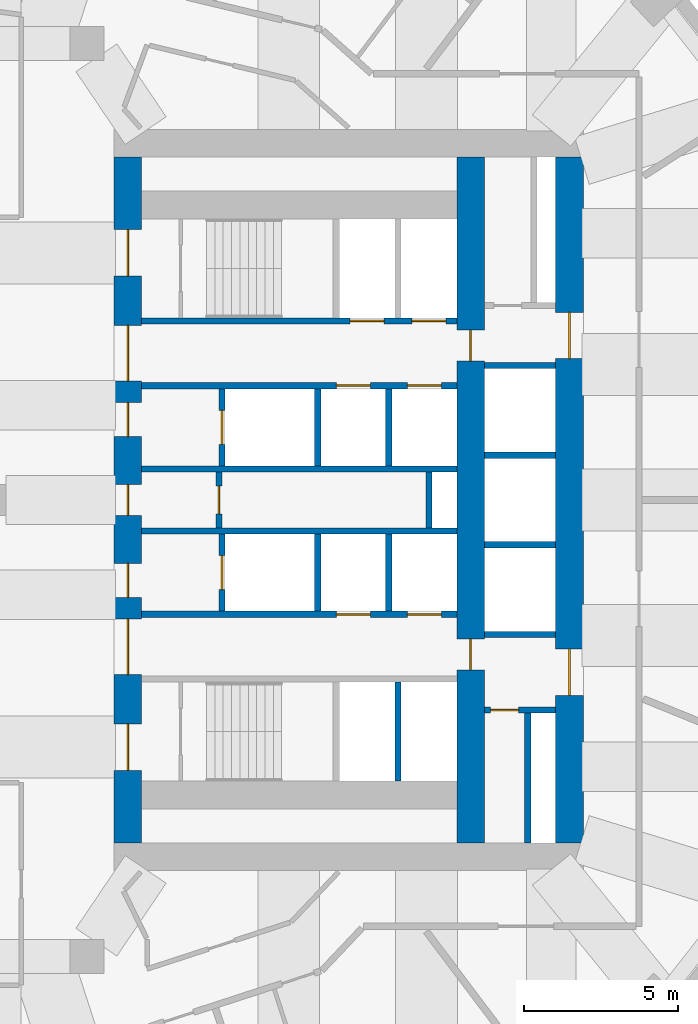
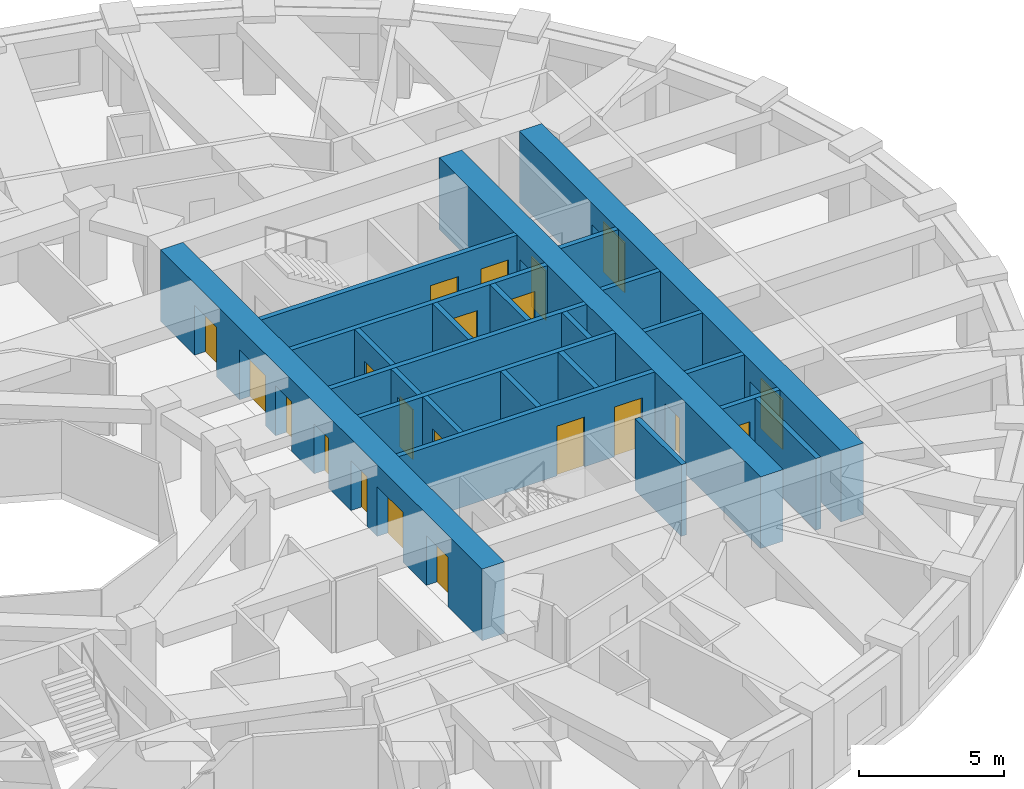
# One storey, part 6 of 13: 23 walls, 21 doors, 21 openings.
"""IFC4 building model written with IfcOpenShell, lengths in metres."""

from ifc_helpers import new_model, si_unit, direction, frame, frame_2d, origin, place, context, subcontext, project, spatial, rectangle, extrude, material, layer, layer_set, type_object, element, fill, save


model = new_model("IFC4")

# Units and contexts
model_context = context("Model", 3, precision=1e-05, world=origin(), true_north=direction((0.0, 1.0)))
body_context = subcontext(model_context, "Body", "Model", "MODEL_VIEW")
ifc_project = project(units=[si_unit("LENGTHUNIT", "METRE"), si_unit("AREAUNIT", "SQUARE_METRE"), si_unit("VOLUMEUNIT", "CUBIC_METRE"), si_unit("PLANEANGLEUNIT", "RADIAN"), si_unit("MASSUNIT", "GRAM", prefix="KILO")], contexts=[model_context])

# Site, building, storey
site_placement = place(None, origin())
site = spatial("IfcSite", under=ifc_project, at=site_placement, CompositionType="ELEMENT")
building_placement = place(site_placement, origin())
building = spatial("IfcBuilding", under=site, at=building_placement, Name="Taillehof Tower", CompositionType="ELEMENT")
storey_placement = place(building_placement, frame((0.0, 0.0, 44.800048828125)))
storey = spatial("IfcBuildingStorey", under=building, at=storey_placement, Name="L11", CompositionType="ELEMENT", Elevation=44.800048828125)

# Wall, opening, door
ifc_material_1 = material(Name="Calcium silicate masonry", Category="masonry")
ifc_layer_1 = layer(ifc_material_1, 0.199951171875)
ifc_layer_set_1 = layer_set([ifc_layer_1], Name="Compartment wall calcium silicate 200")
wall_type_1 = type_object("IfcWallType", Name="Compartment wall calcium silicate 200", PredefinedType="PARTITIONING", material=ifc_layer_set_1)
wall_1_placement = place(storey_placement, frame((7.39990234375, -0.89990234375, 0.0), z_axis=(0.0, 0.0, 1.0), x_axis=(0.0, 1.0, 0.0)))
wall_1 = element("IfcWall", 1, at=wall_1_placement, inside=storey, type_object=wall_type_1, Name="Compartment wall FW", PredefinedType="PARTITIONING", context=body_context, shape_type="SweptSolid", body=[
    extrude(rectangle(XDim=1.7998046875, YDim=0.199951171875, at=frame_2d((0.89990234375, 0.0))), origin(), (0.0, 0.0, 1.0), 3.02001953125),
])
opening_1_placement = place(wall_1_placement, frame((0.449951171875, 0.0, 0.0)))
opening_1 = element("IfcOpeningElement", 2, at=opening_1_placement, cuts=wall_1, Name="Opening D1114", PredefinedType="OPENING", context=body_context, shape_type="SweptSolid", body=[
    extrude(rectangle(XDim=0.89990234375, YDim=2.10009765625, at=frame_2d((0.449951171875, 1.050048828125))), frame((0.0, 0.10986328125, 0.0), z_axis=(0.0, -1.0, 0.0), x_axis=(1.0, 0.0, 0.0)), (0.0, 0.0, 1.0), 0.219970703125),
])
ifc_material_2 = material(Name="Steel-faced fire door", Category="steel")
door_type_1 = type_object("IfcDoorType", Name="Riser and service room door 900x2100", OperationType="SINGLE_SWING_LEFT", PredefinedType="DOOR", material=ifc_material_2)
door_1_placement = place(opening_1_placement, origin())
door_1 = element("IfcDoor", 3, at=door_1_placement, inside=storey, type_object=door_type_1, Name="Door Housekeeping Store", OperationType="SINGLE_SWING_RIGHT", OverallHeight=2.10009765625, OverallWidth=0.89990234375, PredefinedType="DOOR", context=body_context, shape_type="SweptSolid", body=[
    extrude(rectangle(XDim=0.89990234375, YDim=2.10009765625, at=frame_2d((0.449951171875, 1.050048828125))), frame((0.0, 0.02490234375, 0.0), z_axis=(0.0, -1.0, 0.0), x_axis=(1.0, 0.0, 0.0)), (0.0, 0.0, 1.0), 0.050048828125),
])
fill(opening_1, door_1)

# Wall
wall_2_placement = place(storey_placement, frame((14.199951171875, -0.89990234375, 0.0), z_axis=(0.0, 0.0, 1.0), x_axis=(0.0, 1.0, 0.0)))
element("IfcWall", 4, at=wall_2_placement, inside=storey, type_object=wall_type_1, Name="Compartment wall FW", PredefinedType="PARTITIONING", context=body_context, shape_type="SweptSolid", body=[
    extrude(rectangle(XDim=1.7998046875, YDim=0.199951171875, at=frame_2d((0.89990234375, 0.0))), origin(), (0.0, 0.0, 1.0), 3.02001953125),
])

# Wall, opening, door
wall_3_placement = place(storey_placement, frame((16.0, -6.800048828125, 0.0), z_axis=(0.0, 0.0, 1.0), x_axis=(1.0, 0.0, 0.0)))
wall_3 = element("IfcWall", 5, at=wall_3_placement, inside=storey, type_object=wall_type_1, Name="Compartment wall FW", PredefinedType="PARTITIONING", context=body_context, shape_type="SweptSolid", body=[
    extrude(rectangle(XDim=2.300048828125, YDim=0.199951171875, at=frame_2d((1.14990234375, 0.0))), origin(), (0.0, 0.0, 1.0), 3.02001953125),
])
opening_2_placement = place(wall_3_placement, frame((0.199951171875, 0.0, 0.0)))
opening_2 = element("IfcOpeningElement", 6, at=opening_2_placement, cuts=wall_3, Name="Opening D1118", PredefinedType="OPENING", context=body_context, shape_type="SweptSolid", body=[
    extrude(rectangle(XDim=0.89990234375, YDim=2.10009765625, at=frame_2d((0.449951171875, 1.050048828125))), frame((0.0, 0.10986328125, 0.0), z_axis=(0.0, -1.0, 0.0), x_axis=(1.0, 0.0, 0.0)), (0.0, 0.0, 1.0), 0.219970703125),
])
door_2_placement = place(opening_2_placement, origin())
door_2 = element("IfcDoor", 7, at=door_2_placement, inside=storey, type_object=door_type_1, Name="Door Pump Room", OperationType="SINGLE_SWING_LEFT", OverallHeight=2.10009765625, OverallWidth=0.89990234375, PredefinedType="DOOR", context=body_context, shape_type="SweptSolid", body=[
    extrude(rectangle(XDim=0.89990234375, YDim=2.10009765625, at=frame_2d((0.449951171875, 1.050048828125))), frame((0.0, 0.02490234375, 0.0), z_axis=(0.0, -1.0, 0.0), x_axis=(1.0, 0.0, 0.0)), (0.0, 0.0, 1.0), 0.050048828125),
])
fill(opening_2, door_2)

# Wall
wall_4_placement = place(storey_placement, frame((17.39990234375, -11.10009765625, 0.0), z_axis=(0.0, 0.0, 1.0), x_axis=(0.0, 1.0, 0.0)))
element("IfcWall", 8, at=wall_4_placement, inside=storey, type_object=wall_type_1, Name="Compartment wall FW", PredefinedType="PARTITIONING", context=body_context, shape_type="SweptSolid", body=[
    extrude(rectangle(XDim=4.2001953125, YDim=0.199951171875, at=frame_2d((2.10009765625, 0.0))), origin(), (0.0, 0.0, 1.0), 3.02001953125),
])

# Wall, openings, doors
ifc_material_3 = material(Name="Concrete C80/95", Category="concrete")
ifc_layer_2 = layer(ifc_material_3, 0.89990234375)
ifc_layer_set_2 = layer_set([ifc_layer_2], Name="Core wall C80/95 900")
wall_type_2 = type_object("IfcWallType", Name="Core wall C80/95 900", PredefinedType="SHEAR", material=ifc_layer_set_2)
wall_5_placement = place(storey_placement, frame((4.449951171875, -11.10009765625, 0.0), z_axis=(0.0, 0.0, 1.0), x_axis=(0.0, 1.0, 0.0)))
wall_5 = element("IfcWall", 9, at=wall_5_placement, inside=storey, type_object=wall_type_2, Name="Core wall CW01", PredefinedType="SHEAR", context=body_context, shape_type="SweptSolid", body=[
    extrude(rectangle(XDim=22.2001953125, YDim=0.89990234375, at=frame_2d((11.10009765625, 0.0))), origin(), (0.0, 0.0, 1.0), 3.02001953125),
])
opening_3_placement = place(wall_5_placement, frame((2.35009765625, 0.0, 0.0)))
opening_3 = element("IfcOpeningElement", 10, at=opening_3_placement, cuts=wall_5, Name="Opening D1101", PredefinedType="OPENING", context=body_context, shape_type="SweptSolid", body=[
    extrude(rectangle(XDim=1.5, YDim=2.10009765625, at=frame_2d((0.75, 1.050048828125))), frame((0.0, 0.4599609375, 0.0), z_axis=(0.0, -1.0, 0.0), x_axis=(1.0, 0.0, 0.0)), (0.0, 0.0, 1.0), 0.919921875),
])
opening_4_placement = place(wall_5_placement, frame((5.449951171875, 0.0, 0.0)))
opening_4 = element("IfcOpeningElement", 11, at=opening_4_placement, cuts=wall_5, Name="Opening D1102", PredefinedType="OPENING", context=body_context, shape_type="SweptSolid", body=[
    extrude(rectangle(XDim=1.800048828125, YDim=2.10009765625, at=frame_2d((0.89990234375, 1.050048828125))), frame((0.0, 0.4599609375, 0.0), z_axis=(0.0, -1.0, 0.0), x_axis=(1.0, 0.0, 0.0)), (0.0, 0.0, 1.0), 0.919921875),
])
opening_5_placement = place(wall_5_placement, frame((7.949951171875, 0.0, 0.0)))
opening_5 = element("IfcOpeningElement", 12, at=opening_5_placement, cuts=wall_5, Name="Opening D1103", PredefinedType="OPENING", context=body_context, shape_type="SweptSolid", body=[
    extrude(rectangle(XDim=1.10009765625, YDim=2.10009765625, at=frame_2d((0.550048828125, 1.050048828125))), frame((0.0, 0.4599609375, 0.0), z_axis=(0.0, -1.0, 0.0), x_axis=(1.0, 0.0, 0.0)), (0.0, 0.0, 1.0), 0.919921875),
])
opening_6_placement = place(wall_5_placement, frame((10.60009765625, 0.0, 0.0)))
opening_6 = element("IfcOpeningElement", 13, at=opening_6_placement, cuts=wall_5, Name="Opening D1104", PredefinedType="OPENING", context=body_context, shape_type="SweptSolid", body=[
    extrude(rectangle(XDim=1.0, YDim=2.10009765625, at=frame_2d((0.5, 1.050048828125))), frame((0.0, 0.4599609375, 0.0), z_axis=(0.0, -1.0, 0.0), x_axis=(1.0, 0.0, 0.0)), (0.0, 0.0, 1.0), 0.919921875),
])
opening_7_placement = place(wall_5_placement, frame((13.14990234375, 0.0, 0.0)))
opening_7 = element("IfcOpeningElement", 14, at=opening_7_placement, cuts=wall_5, Name="Opening D1105", PredefinedType="OPENING", context=body_context, shape_type="SweptSolid", body=[
    extrude(rectangle(XDim=1.10009765625, YDim=2.10009765625, at=frame_2d((0.550048828125, 1.050048828125))), frame((0.0, 0.4599609375, 0.0), z_axis=(0.0, -1.0, 0.0), x_axis=(1.0, 0.0, 0.0)), (0.0, 0.0, 1.0), 0.919921875),
])
opening_8_placement = place(wall_5_placement, frame((14.949951171875, 0.0, 0.0)))
opening_8 = element("IfcOpeningElement", 15, at=opening_8_placement, cuts=wall_5, Name="Opening D1106", PredefinedType="OPENING", context=body_context, shape_type="SweptSolid", body=[
    extrude(rectangle(XDim=1.800048828125, YDim=2.10009765625, at=frame_2d((0.89990234375, 1.050048828125))), frame((0.0, 0.4599609375, 0.0), z_axis=(0.0, -1.0, 0.0), x_axis=(1.0, 0.0, 0.0)), (0.0, 0.0, 1.0), 0.919921875),
])
opening_9_placement = place(wall_5_placement, frame((18.35009765625, 0.0, 0.0)))
opening_9 = element("IfcOpeningElement", 16, at=opening_9_placement, cuts=wall_5, Name="Opening D1107", PredefinedType="OPENING", context=body_context, shape_type="SweptSolid", body=[
    extrude(rectangle(XDim=1.5, YDim=2.10009765625, at=frame_2d((0.75, 1.050048828125))), frame((0.0, 0.4599609375, 0.0), z_axis=(0.0, -1.0, 0.0), x_axis=(1.0, 0.0, 0.0)), (0.0, 0.0, 1.0), 0.919921875),
])
ifc_material_4 = material(Name="Steel-faced fire door", Category="steel")
door_type_2 = type_object("IfcDoorType", Name="Firefighting lobby door 1100x2100", OperationType="SINGLE_SWING_RIGHT", PredefinedType="DOOR", material=ifc_material_4)
door_3_placement = place(opening_5_placement, origin())
door_3 = element("IfcDoor", 17, at=door_3_placement, inside=storey, type_object=door_type_2, Name="Firefighting lobby door FFL-S", OperationType="SINGLE_SWING_RIGHT", OverallHeight=2.10009765625, OverallWidth=1.10009765625, PredefinedType="DOOR", context=body_context, shape_type="SweptSolid", body=[
    extrude(rectangle(XDim=1.10009765625, YDim=2.10009765625, at=frame_2d((0.550048828125, 1.050048828125))), frame((0.0, 0.02490234375, 0.0), z_axis=(0.0, -1.0, 0.0), x_axis=(1.0, 0.0, 0.0)), (0.0, 0.0, 1.0), 0.050048828125),
])
fill(opening_5, door_3)
door_4_placement = place(opening_7_placement, origin())
door_4 = element("IfcDoor", 18, at=door_4_placement, inside=storey, type_object=door_type_2, Name="Firefighting lobby door FFL-N", OperationType="SINGLE_SWING_LEFT", OverallHeight=2.10009765625, OverallWidth=1.10009765625, PredefinedType="DOOR", context=body_context, shape_type="SweptSolid", body=[
    extrude(rectangle(XDim=1.10009765625, YDim=2.10009765625, at=frame_2d((0.550048828125, 1.050048828125))), frame((0.0, 0.02490234375, 0.0), z_axis=(0.0, -1.0, 0.0), x_axis=(1.0, 0.0, 0.0)), (0.0, 0.0, 1.0), 0.050048828125),
])
fill(opening_7, door_4)
ifc_material_5 = material(Name="Steel-faced fire door", Category="steel")
door_type_3 = type_object("IfcDoorType", Name="Lift lobby door 1800x2100", OperationType="DOUBLE_DOOR_SINGLE_SWING", PredefinedType="DOOR", material=ifc_material_5)
door_5_placement = place(opening_4_placement, origin())
door_5 = element("IfcDoor", 19, at=door_5_placement, inside=storey, type_object=door_type_3, Name="Lift lobby door LL-S", OperationType="DOUBLE_DOOR_SINGLE_SWING", OverallHeight=2.10009765625, OverallWidth=1.800048828125, PredefinedType="DOOR", context=body_context, shape_type="SweptSolid", body=[
    extrude(rectangle(XDim=1.800048828125, YDim=2.10009765625, at=frame_2d((0.89990234375, 1.050048828125))), frame((0.0, 0.02490234375, 0.0), z_axis=(0.0, -1.0, 0.0), x_axis=(1.0, 0.0, 0.0)), (0.0, 0.0, 1.0), 0.050048828125),
])
fill(opening_4, door_5)
door_6_placement = place(opening_8_placement, origin())
door_6 = element("IfcDoor", 20, at=door_6_placement, inside=storey, type_object=door_type_3, Name="Lift lobby door LL-N", OperationType="DOUBLE_DOOR_SINGLE_SWING", OverallHeight=2.10009765625, OverallWidth=1.800048828125, PredefinedType="DOOR", context=body_context, shape_type="SweptSolid", body=[
    extrude(rectangle(XDim=1.800048828125, YDim=2.10009765625, at=frame_2d((0.89990234375, 1.050048828125))), frame((0.0, 0.02490234375, 0.0), z_axis=(0.0, -1.0, 0.0), x_axis=(1.0, 0.0, 0.0)), (0.0, 0.0, 1.0), 0.050048828125),
])
fill(opening_8, door_6)
ifc_material_6 = material(Name="Steel-faced fire door", Category="steel")
door_type_4 = type_object("IfcDoorType", Name="Service door 1000x2100", OperationType="SINGLE_SWING_RIGHT", PredefinedType="DOOR", material=ifc_material_6)
door_7_placement = place(opening_6_placement, origin())
door_7 = element("IfcDoor", 21, at=door_7_placement, inside=storey, type_object=door_type_4, Name="Service door SV", OperationType="SINGLE_SWING_RIGHT", OverallHeight=2.10009765625, OverallWidth=1.0, PredefinedType="DOOR", context=body_context, shape_type="SweptSolid", body=[
    extrude(rectangle(XDim=1.0, YDim=2.10009765625, at=frame_2d((0.5, 1.050048828125))), frame((0.0, 0.02490234375, 0.0), z_axis=(0.0, -1.0, 0.0), x_axis=(1.0, 0.0, 0.0)), (0.0, 0.0, 1.0), 0.050048828125),
])
fill(opening_6, door_7)
ifc_material_7 = material(Name="Steel-faced fire door", Category="steel")
door_type_5 = type_object("IfcDoorType", Name="Stair door 1500x2100", OperationType="DOUBLE_DOOR_SINGLE_SWING", PredefinedType="DOOR", material=ifc_material_7)
door_8_placement = place(opening_3_placement, origin())
door_8 = element("IfcDoor", 22, at=door_8_placement, inside=storey, type_object=door_type_5, Name="Stair door S2", OperationType="DOUBLE_DOOR_SINGLE_SWING", OverallHeight=2.10009765625, OverallWidth=1.5, PredefinedType="DOOR", context=body_context, shape_type="SweptSolid", body=[
    extrude(rectangle(XDim=1.5, YDim=2.10009765625, at=frame_2d((0.75, 1.050048828125))), frame((0.0, 0.02490234375, 0.0), z_axis=(0.0, -1.0, 0.0), x_axis=(1.0, 0.0, 0.0)), (0.0, 0.0, 1.0), 0.050048828125),
])
fill(opening_3, door_8)
door_9_placement = place(opening_9_placement, origin())
door_9 = element("IfcDoor", 23, at=door_9_placement, inside=storey, type_object=door_type_5, Name="Stair door S1", OperationType="DOUBLE_DOOR_SINGLE_SWING", OverallHeight=2.10009765625, OverallWidth=1.5, PredefinedType="DOOR", context=body_context, shape_type="SweptSolid", body=[
    extrude(rectangle(XDim=1.5, YDim=2.10009765625, at=frame_2d((0.75, 1.050048828125))), frame((0.0, 0.02490234375, 0.0), z_axis=(0.0, -1.0, 0.0), x_axis=(1.0, 0.0, 0.0)), (0.0, 0.0, 1.0), 0.050048828125),
])
fill(opening_9, door_9)

wall_6_placement = place(storey_placement, frame((18.75, -11.10009765625, 0.0), z_axis=(0.0, 0.0, 1.0), x_axis=(0.0, 1.0, 0.0)))
wall_6 = element("IfcWall", 24, at=wall_6_placement, inside=storey, type_object=wall_type_2, Name="Core wall CW02", PredefinedType="SHEAR", context=body_context, shape_type="SweptSolid", body=[
    extrude(rectangle(XDim=22.2001953125, YDim=0.89990234375, at=frame_2d((11.10009765625, 0.0))), origin(), (0.0, 0.0, 1.0), 3.02001953125),
])
opening_10_placement = place(wall_6_placement, frame((15.675048828125, 0.0, 0.0)))
opening_10 = element("IfcOpeningElement", 25, at=opening_10_placement, cuts=wall_6, Name="Opening D1108", PredefinedType="OPENING", context=body_context, shape_type="SweptSolid", body=[
    extrude(rectangle(XDim=1.5, YDim=2.10009765625, at=frame_2d((0.75, 1.050048828125))), frame((0.0, 0.4599609375, 0.0), z_axis=(0.0, -1.0, 0.0), x_axis=(1.0, 0.0, 0.0)), (0.0, 0.0, 1.0), 0.919921875),
])
opening_11_placement = place(wall_6_placement, frame((4.77490234375, 0.0, 0.0)))
opening_11 = element("IfcOpeningElement", 26, at=opening_11_placement, cuts=wall_6, Name="Opening D1109", PredefinedType="OPENING", context=body_context, shape_type="SweptSolid", body=[
    extrude(rectangle(XDim=1.5, YDim=2.10009765625, at=frame_2d((0.75, 1.050048828125))), frame((0.0, 0.4599609375, 0.0), z_axis=(0.0, -1.0, 0.0), x_axis=(1.0, 0.0, 0.0)), (0.0, 0.0, 1.0), 0.919921875),
])
ifc_material_8 = material(Name="Steel-faced fire door", Category="steel")
door_type_6 = type_object("IfcDoorType", Name="Lift lobby east door 1500x2100", OperationType="DOUBLE_DOOR_SINGLE_SWING", PredefinedType="DOOR", material=ifc_material_8)
door_10_placement = place(opening_10_placement, origin())
door_10 = element("IfcDoor", 27, at=door_10_placement, inside=storey, type_object=door_type_6, Name="Lift lobby east door north", OperationType="DOUBLE_DOOR_SINGLE_SWING", OverallHeight=2.10009765625, OverallWidth=1.5, PredefinedType="DOOR", context=body_context, shape_type="SweptSolid", body=[
    extrude(rectangle(XDim=1.5, YDim=2.10009765625, at=frame_2d((0.75, 1.050048828125))), frame((0.0, 0.02490234375, 0.0), z_axis=(0.0, -1.0, 0.0), x_axis=(1.0, 0.0, 0.0)), (0.0, 0.0, 1.0), 0.050048828125),
])
fill(opening_10, door_10)
door_11_placement = place(opening_11_placement, origin())
door_11 = element("IfcDoor", 28, at=door_11_placement, inside=storey, type_object=door_type_6, Name="Lift lobby east door south", OperationType="DOUBLE_DOOR_SINGLE_SWING", OverallHeight=2.10009765625, OverallWidth=1.5, PredefinedType="DOOR", context=body_context, shape_type="SweptSolid", body=[
    extrude(rectangle(XDim=1.5, YDim=2.10009765625, at=frame_2d((0.75, 1.050048828125))), frame((0.0, 0.02490234375, 0.0), z_axis=(0.0, -1.0, 0.0), x_axis=(1.0, 0.0, 0.0)), (0.0, 0.0, 1.0), 0.050048828125),
])
fill(opening_11, door_11)

wall_7_placement = place(storey_placement, frame((15.550048828125, -11.10009765625, 0.0), z_axis=(0.0, 0.0, 1.0), x_axis=(0.0, 1.0, 0.0)))
wall_7 = element("IfcWall", 29, at=wall_7_placement, inside=storey, type_object=wall_type_2, Name="Core wall CW05", PredefinedType="SHEAR", context=body_context, shape_type="SweptSolid", body=[
    extrude(rectangle(XDim=22.2001953125, YDim=0.89990234375, at=frame_2d((11.10009765625, 0.0))), origin(), (0.0, 0.0, 1.0), 3.02001953125),
])
opening_12_placement = place(wall_7_placement, frame((15.60009765625, 0.0, 0.0)))
opening_12 = element("IfcOpeningElement", 30, at=opening_12_placement, cuts=wall_7, Name="Opening D1115", PredefinedType="OPENING", context=body_context, shape_type="SweptSolid", body=[
    extrude(rectangle(XDim=1.0, YDim=2.10009765625, at=frame_2d((0.5, 1.050048828125))), frame((0.0, 0.4599609375, 0.0), z_axis=(0.0, -1.0, 0.0), x_axis=(1.0, 0.0, 0.0)), (0.0, 0.0, 1.0), 0.919921875),
])
opening_13_placement = place(wall_7_placement, frame((5.60009765625, 0.0, 0.0)))
opening_13 = element("IfcOpeningElement", 31, at=opening_13_placement, cuts=wall_7, Name="Opening D1117", PredefinedType="OPENING", context=body_context, shape_type="SweptSolid", body=[
    extrude(rectangle(XDim=1.0, YDim=2.10009765625, at=frame_2d((0.5, 1.050048828125))), frame((0.0, 0.4599609375, 0.0), z_axis=(0.0, -1.0, 0.0), x_axis=(1.0, 0.0, 0.0)), (0.0, 0.0, 1.0), 0.919921875),
])
door_12_placement = place(opening_12_placement, origin())
door_12 = element("IfcDoor", 32, at=door_12_placement, inside=storey, type_object=door_type_4, Name="Service door strip", OperationType="SINGLE_SWING_RIGHT", OverallHeight=2.10009765625, OverallWidth=1.0, PredefinedType="DOOR", context=body_context, shape_type="SweptSolid", body=[
    extrude(rectangle(XDim=1.0, YDim=2.10009765625, at=frame_2d((0.5, 1.050048828125))), frame((0.0, 0.02490234375, 0.0), z_axis=(0.0, -1.0, 0.0), x_axis=(1.0, 0.0, 0.0)), (0.0, 0.0, 1.0), 0.050048828125),
])
fill(opening_12, door_12)
door_13_placement = place(opening_13_placement, origin())
door_13 = element("IfcDoor", 33, at=door_13_placement, inside=storey, type_object=door_type_4, Name="Service door strip", OperationType="SINGLE_SWING_LEFT", OverallHeight=2.10009765625, OverallWidth=1.0, PredefinedType="DOOR", context=body_context, shape_type="SweptSolid", body=[
    extrude(rectangle(XDim=1.0, YDim=2.10009765625, at=frame_2d((0.5, 1.050048828125))), frame((0.0, 0.02490234375, 0.0), z_axis=(0.0, -1.0, 0.0), x_axis=(1.0, 0.0, 0.0)), (0.0, 0.0, 1.0), 0.050048828125),
])
fill(opening_13, door_13)

ifc_material_9 = material(Name="Concrete C50/60", Category="concrete")
ifc_layer_3 = layer(ifc_material_9, 0.199951171875)
ifc_layer_set_3 = layer_set([ifc_layer_3], Name="Shaft wall C50/60 200")
wall_type_3 = type_object("IfcWallType", Name="Shaft wall C50/60 200", PredefinedType="SHEAR", material=ifc_layer_set_3)
wall_8_placement = place(storey_placement, frame((4.89990234375, 5.800048828125, 0.0), z_axis=(0.0, 0.0, 1.0), x_axis=(1.0, 0.0, 0.0)))
wall_8 = element("IfcWall", 34, at=wall_8_placement, inside=storey, type_object=wall_type_3, Name="Shaft wall SW", PredefinedType="SHEAR", context=body_context, shape_type="SweptSolid", body=[
    extrude(rectangle(XDim=10.2001953125, YDim=0.199951171875, at=frame_2d((5.10009765625, 0.0))), origin(), (0.0, 0.0, 1.0), 3.02001953125),
])
opening_14_placement = place(wall_8_placement, frame((6.75, 0.0, 0.0)))
opening_14 = element("IfcOpeningElement", 35, at=opening_14_placement, cuts=wall_8, Name="Opening LD1", PredefinedType="OPENING", context=body_context, shape_type="SweptSolid", body=[
    extrude(rectangle(XDim=1.10009765625, YDim=2.10009765625, at=frame_2d((0.550048828125, 1.050048828125))), frame((0.0, 0.10986328125, 0.0), z_axis=(0.0, -1.0, 0.0), x_axis=(1.0, 0.0, 0.0)), (0.0, 0.0, 1.0), 0.219970703125),
])
opening_15_placement = place(wall_8_placement, frame((8.75, 0.0, 0.0)))
opening_15 = element("IfcOpeningElement", 36, at=opening_15_placement, cuts=wall_8, Name="Opening LD1", PredefinedType="OPENING", context=body_context, shape_type="SweptSolid", body=[
    extrude(rectangle(XDim=1.10009765625, YDim=2.10009765625, at=frame_2d((0.550048828125, 1.050048828125))), frame((0.0, 0.10986328125, 0.0), z_axis=(0.0, -1.0, 0.0), x_axis=(1.0, 0.0, 0.0)), (0.0, 0.0, 1.0), 0.219970703125),
])
ifc_material_10 = material(Name="Stainless steel", Category="steel")
door_type_7 = type_object("IfcDoorType", Name="Lift landing door LD1 1100x2100", OperationType="DOUBLE_DOOR_SLIDING", PredefinedType="DOOR", material=ifc_material_10)
door_14_placement = place(opening_14_placement, origin())
door_14 = element("IfcDoor", 37, at=door_14_placement, inside=storey, type_object=door_type_7, Name="Landing door LR1", OperationType="DOUBLE_DOOR_SLIDING", OverallHeight=2.10009765625, OverallWidth=1.10009765625, PredefinedType="DOOR", context=body_context, shape_type="SweptSolid", body=[
    extrude(rectangle(XDim=1.10009765625, YDim=2.10009765625, at=frame_2d((0.550048828125, 1.050048828125))), frame((0.0, 0.02490234375, 0.0), z_axis=(0.0, -1.0, 0.0), x_axis=(1.0, 0.0, 0.0)), (0.0, 0.0, 1.0), 0.050048828125),
])
fill(opening_14, door_14)
door_15_placement = place(opening_15_placement, origin())
door_15 = element("IfcDoor", 38, at=door_15_placement, inside=storey, type_object=door_type_7, Name="Landing door LR2", OperationType="DOUBLE_DOOR_SLIDING", OverallHeight=2.10009765625, OverallWidth=1.10009765625, PredefinedType="DOOR", context=body_context, shape_type="SweptSolid", body=[
    extrude(rectangle(XDim=1.10009765625, YDim=2.10009765625, at=frame_2d((0.550048828125, 1.050048828125))), frame((0.0, 0.02490234375, 0.0), z_axis=(0.0, -1.0, 0.0), x_axis=(1.0, 0.0, 0.0)), (0.0, 0.0, 1.0), 0.050048828125),
])
fill(opening_15, door_15)

wall_9_placement = place(storey_placement, frame((4.89990234375, 3.699951171875, 0.0), z_axis=(0.0, 0.0, 1.0), x_axis=(1.0, 0.0, 0.0)))
wall_9 = element("IfcWall", 39, at=wall_9_placement, inside=storey, type_object=wall_type_3, Name="Shaft wall SW", PredefinedType="SHEAR", context=body_context, shape_type="SweptSolid", body=[
    extrude(rectangle(XDim=10.2001953125, YDim=0.199951171875, at=frame_2d((5.10009765625, 0.0))), origin(), (0.0, 0.0, 1.0), 3.02001953125),
])
opening_16_placement = place(wall_9_placement, frame((6.300048828125, 0.0, 0.0)))
opening_16 = element("IfcOpeningElement", 40, at=opening_16_placement, cuts=wall_9, Name="Opening LD1", PredefinedType="OPENING", context=body_context, shape_type="SweptSolid", body=[
    extrude(rectangle(XDim=1.10009765625, YDim=2.10009765625, at=frame_2d((0.550048828125, 1.050048828125))), frame((0.0, 0.10986328125, 0.0), z_axis=(0.0, -1.0, 0.0), x_axis=(1.0, 0.0, 0.0)), (0.0, 0.0, 1.0), 0.219970703125),
])
opening_17_placement = place(wall_9_placement, frame((8.60009765625, 0.0, 0.0)))
opening_17 = element("IfcOpeningElement", 41, at=opening_17_placement, cuts=wall_9, Name="Opening LD1", PredefinedType="OPENING", context=body_context, shape_type="SweptSolid", body=[
    extrude(rectangle(XDim=1.10009765625, YDim=2.10009765625, at=frame_2d((0.550048828125, 1.050048828125))), frame((0.0, 0.10986328125, 0.0), z_axis=(0.0, -1.0, 0.0), x_axis=(1.0, 0.0, 0.0)), (0.0, 0.0, 1.0), 0.219970703125),
])
door_16_placement = place(opening_16_placement, origin())
door_16 = element("IfcDoor", 42, at=door_16_placement, inside=storey, type_object=door_type_7, Name="Landing door LR3", OperationType="DOUBLE_DOOR_SLIDING", OverallHeight=2.10009765625, OverallWidth=1.10009765625, PredefinedType="DOOR", context=body_context, shape_type="SweptSolid", body=[
    extrude(rectangle(XDim=1.10009765625, YDim=2.10009765625, at=frame_2d((0.550048828125, 1.050048828125))), frame((0.0, 0.02490234375, 0.0), z_axis=(0.0, -1.0, 0.0), x_axis=(1.0, 0.0, 0.0)), (0.0, 0.0, 1.0), 0.050048828125),
])
fill(opening_16, door_16)
door_17_placement = place(opening_17_placement, origin())
door_17 = element("IfcDoor", 43, at=door_17_placement, inside=storey, type_object=door_type_7, Name="Landing door LR4", OperationType="DOUBLE_DOOR_SLIDING", OverallHeight=2.10009765625, OverallWidth=1.10009765625, PredefinedType="DOOR", context=body_context, shape_type="SweptSolid", body=[
    extrude(rectangle(XDim=1.10009765625, YDim=2.10009765625, at=frame_2d((0.550048828125, 1.050048828125))), frame((0.0, 0.02490234375, 0.0), z_axis=(0.0, -1.0, 0.0), x_axis=(1.0, 0.0, 0.0)), (0.0, 0.0, 1.0), 0.050048828125),
])
fill(opening_17, door_17)

# Walls
for number, where, z_axis, x_axis, name in (
    (44, (4.89990234375, 1.0, 0.0), (0.0, 0.0, 1.0), (1.0, 0.0, 0.0), "Shaft wall SW"),
    (45, (4.89990234375, -1.0, 0.0), (0.0, 0.0, 1.0), (1.0, 0.0, 0.0), "Shaft wall SW"),
):
    element("IfcWall", number, at=place(storey_placement, frame(where, z_axis=z_axis, x_axis=x_axis)), inside=storey, type_object=wall_type_3, Name=name, PredefinedType="SHEAR", context=body_context, shape_type="SweptSolid", body=[
        extrude(rectangle(XDim=10.2001953125, YDim=0.199951171875, at=frame_2d((5.10009765625, 0.0))), origin(), (0.0, 0.0, 1.0), 3.02001953125),
    ])

# Wall, openings, doors
wall_10_placement = place(storey_placement, frame((4.89990234375, -3.699951171875, 0.0), z_axis=(0.0, 0.0, 1.0), x_axis=(1.0, 0.0, 0.0)))
wall_10 = element("IfcWall", 46, at=wall_10_placement, inside=storey, type_object=wall_type_3, Name="Shaft wall SW", PredefinedType="SHEAR", context=body_context, shape_type="SweptSolid", body=[
    extrude(rectangle(XDim=10.2001953125, YDim=0.199951171875, at=frame_2d((5.10009765625, 0.0))), origin(), (0.0, 0.0, 1.0), 3.02001953125),
])
opening_18_placement = place(wall_10_placement, frame((6.300048828125, 0.0, 0.0)))
opening_18 = element("IfcOpeningElement", 47, at=opening_18_placement, cuts=wall_10, Name="Opening LD1", PredefinedType="OPENING", context=body_context, shape_type="SweptSolid", body=[
    extrude(rectangle(XDim=1.10009765625, YDim=2.10009765625, at=frame_2d((0.550048828125, 1.050048828125))), frame((0.0, 0.10986328125, 0.0), z_axis=(0.0, -1.0, 0.0), x_axis=(1.0, 0.0, 0.0)), (0.0, 0.0, 1.0), 0.219970703125),
])
opening_19_placement = place(wall_10_placement, frame((8.60009765625, 0.0, 0.0)))
opening_19 = element("IfcOpeningElement", 48, at=opening_19_placement, cuts=wall_10, Name="Opening LD1", PredefinedType="OPENING", context=body_context, shape_type="SweptSolid", body=[
    extrude(rectangle(XDim=1.10009765625, YDim=2.10009765625, at=frame_2d((0.550048828125, 1.050048828125))), frame((0.0, 0.10986328125, 0.0), z_axis=(0.0, -1.0, 0.0), x_axis=(1.0, 0.0, 0.0)), (0.0, 0.0, 1.0), 0.219970703125),
])
door_18_placement = place(opening_18_placement, origin())
door_18 = element("IfcDoor", 49, at=door_18_placement, inside=storey, type_object=door_type_7, Name="Landing door LR5", OperationType="DOUBLE_DOOR_SLIDING", OverallHeight=2.10009765625, OverallWidth=1.10009765625, PredefinedType="DOOR", context=body_context, shape_type="SweptSolid", body=[
    extrude(rectangle(XDim=1.10009765625, YDim=2.10009765625, at=frame_2d((0.550048828125, 1.050048828125))), frame((0.0, 0.02490234375, 0.0), z_axis=(0.0, -1.0, 0.0), x_axis=(1.0, 0.0, 0.0)), (0.0, 0.0, 1.0), 0.050048828125),
])
fill(opening_18, door_18)
door_19_placement = place(opening_19_placement, origin())
door_19 = element("IfcDoor", 50, at=door_19_placement, inside=storey, type_object=door_type_7, Name="Landing door LR6", OperationType="DOUBLE_DOOR_SLIDING", OverallHeight=2.10009765625, OverallWidth=1.10009765625, PredefinedType="DOOR", context=body_context, shape_type="SweptSolid", body=[
    extrude(rectangle(XDim=1.10009765625, YDim=2.10009765625, at=frame_2d((0.550048828125, 1.050048828125))), frame((0.0, 0.02490234375, 0.0), z_axis=(0.0, -1.0, 0.0), x_axis=(1.0, 0.0, 0.0)), (0.0, 0.0, 1.0), 0.050048828125),
])
fill(opening_19, door_19)

# Wall
wall_11_placement = place(storey_placement, frame((13.199951171875, -9.10009765625, 0.0), z_axis=(0.0, 0.0, 1.0), x_axis=(0.0, 1.0, 0.0)))
element("IfcWall", 51, at=wall_11_placement, inside=storey, type_object=wall_type_3, Name="Shaft wall SW", PredefinedType="SHEAR", context=body_context, shape_type="SweptSolid", body=[
    extrude(rectangle(XDim=3.2001953125, YDim=0.199951171875, at=frame_2d((1.60009765625, 0.0))), origin(), (0.0, 0.0, 1.0), 3.02001953125),
])

# Wall, opening, door
wall_12_placement = place(storey_placement, frame((7.5, 1.10009765625, 0.0), z_axis=(0.0, 0.0, 1.0), x_axis=(0.0, 1.0, 0.0)))
wall_12 = element("IfcWall", 52, at=wall_12_placement, inside=storey, type_object=wall_type_3, Name="Shaft wall SW", PredefinedType="SHEAR", context=body_context, shape_type="SweptSolid", body=[
    extrude(rectangle(XDim=2.5, YDim=0.199951171875, at=frame_2d((1.25, 0.0))), origin(), (0.0, 0.0, 1.0), 3.02001953125),
])
opening_20_placement = place(wall_12_placement, frame((0.699951171875, 0.0, 0.0)))
opening_20 = element("IfcOpeningElement", 53, at=opening_20_placement, cuts=wall_12, Name="Opening LD1", PredefinedType="OPENING", context=body_context, shape_type="SweptSolid", body=[
    extrude(rectangle(XDim=1.10009765625, YDim=2.10009765625, at=frame_2d((0.550048828125, 1.050048828125))), frame((0.0, 0.10986328125, 0.0), z_axis=(0.0, -1.0, 0.0), x_axis=(1.0, 0.0, 0.0)), (0.0, 0.0, 1.0), 0.219970703125),
])
door_20_placement = place(opening_20_placement, origin())
door_20 = element("IfcDoor", 54, at=door_20_placement, inside=storey, type_object=door_type_7, Name="Landing door FF1", OperationType="DOUBLE_DOOR_SLIDING", OverallHeight=2.10009765625, OverallWidth=1.10009765625, PredefinedType="DOOR", context=body_context, shape_type="SweptSolid", body=[
    extrude(rectangle(XDim=1.10009765625, YDim=2.10009765625, at=frame_2d((0.550048828125, 1.050048828125))), frame((0.0, 0.02490234375, 0.0), z_axis=(0.0, -1.0, 0.0), x_axis=(1.0, 0.0, 0.0)), (0.0, 0.0, 1.0), 0.050048828125),
])
fill(opening_20, door_20)

wall_13_placement = place(storey_placement, frame((7.5, -3.60009765625, 0.0), z_axis=(0.0, 0.0, 1.0), x_axis=(0.0, 1.0, 0.0)))
wall_13 = element("IfcWall", 55, at=wall_13_placement, inside=storey, type_object=wall_type_3, Name="Shaft wall SW", PredefinedType="SHEAR", context=body_context, shape_type="SweptSolid", body=[
    extrude(rectangle(XDim=2.5, YDim=0.199951171875, at=frame_2d((1.25, 0.0))), origin(), (0.0, 0.0, 1.0), 3.02001953125),
])
opening_21_placement = place(wall_13_placement, frame((0.699951171875, 0.0, 0.0)))
opening_21 = element("IfcOpeningElement", 56, at=opening_21_placement, cuts=wall_13, Name="Opening LD1", PredefinedType="OPENING", context=body_context, shape_type="SweptSolid", body=[
    extrude(rectangle(XDim=1.10009765625, YDim=2.10009765625, at=frame_2d((0.550048828125, 1.050048828125))), frame((0.0, 0.10986328125, 0.0), z_axis=(0.0, -1.0, 0.0), x_axis=(1.0, 0.0, 0.0)), (0.0, 0.0, 1.0), 0.219970703125),
])
door_21_placement = place(opening_21_placement, origin())
door_21 = element("IfcDoor", 57, at=door_21_placement, inside=storey, type_object=door_type_7, Name="Landing door FF2", OperationType="DOUBLE_DOOR_SLIDING", OverallHeight=2.10009765625, OverallWidth=1.10009765625, PredefinedType="DOOR", context=body_context, shape_type="SweptSolid", body=[
    extrude(rectangle(XDim=1.10009765625, YDim=2.10009765625, at=frame_2d((0.550048828125, 1.050048828125))), frame((0.0, 0.02490234375, 0.0), z_axis=(0.0, -1.0, 0.0), x_axis=(1.0, 0.0, 0.0)), (0.0, 0.0, 1.0), 0.050048828125),
])
fill(opening_21, door_21)

# Walls
for number, where, z_axis, x_axis, name in (
    (58, (10.60009765625, 1.10009765625, 0.0), (0.0, 0.0, 1.0), (0.0, 1.0, 0.0), "Shaft wall SW"),
    (59, (10.60009765625, -3.60009765625, 0.0), (0.0, 0.0, 1.0), (0.0, 1.0, 0.0), "Shaft wall SW"),
    (60, (12.89990234375, 1.10009765625, 0.0), (0.0, 0.0, 1.0), (0.0, 1.0, 0.0), "Shaft wall SW"),
    (61, (12.89990234375, -3.60009765625, 0.0), (0.0, 0.0, 1.0), (0.0, 1.0, 0.0), "Shaft wall SW"),
):
    element("IfcWall", number, at=place(storey_placement, frame(where, z_axis=z_axis, x_axis=x_axis)), inside=storey, type_object=wall_type_3, Name=name, PredefinedType="SHEAR", context=body_context, shape_type="SweptSolid", body=[
        extrude(rectangle(XDim=2.5, YDim=0.199951171875, at=frame_2d((1.25, 0.0))), origin(), (0.0, 0.0, 1.0), 3.02001953125),
    ])
for number, where, z_axis, x_axis, name in (
    (62, (16.0, -4.35009765625, 0.0), (0.0, 0.0, 1.0), (1.0, 0.0, 0.0), "Shaft wall SW"),
    (63, (16.0, -1.449951171875, 0.0), (0.0, 0.0, 1.0), (1.0, 0.0, 0.0), "Shaft wall SW"),
    (64, (16.0, 1.449951171875, 0.0), (0.0, 0.0, 1.0), (1.0, 0.0, 0.0), "Shaft wall SW"),
    (65, (16.0, 4.35009765625, 0.0), (0.0, 0.0, 1.0), (1.0, 0.0, 0.0), "Shaft wall SW"),
):
    element("IfcWall", number, at=place(storey_placement, frame(where, z_axis=z_axis, x_axis=x_axis)), inside=storey, type_object=wall_type_3, Name=name, PredefinedType="SHEAR", context=body_context, shape_type="SweptSolid", body=[
        extrude(rectangle(XDim=2.300048828125, YDim=0.199951171875, at=frame_2d((1.14990234375, 0.0))), origin(), (0.0, 0.0, 1.0), 3.02001953125),
    ])

save(model, "model.ifc")
